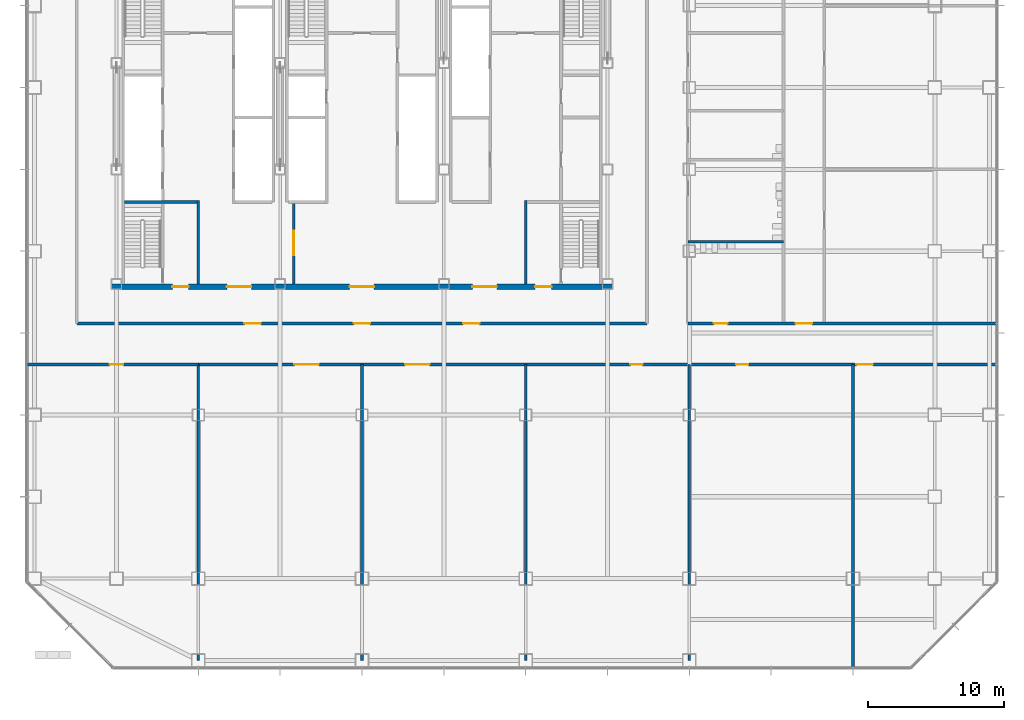
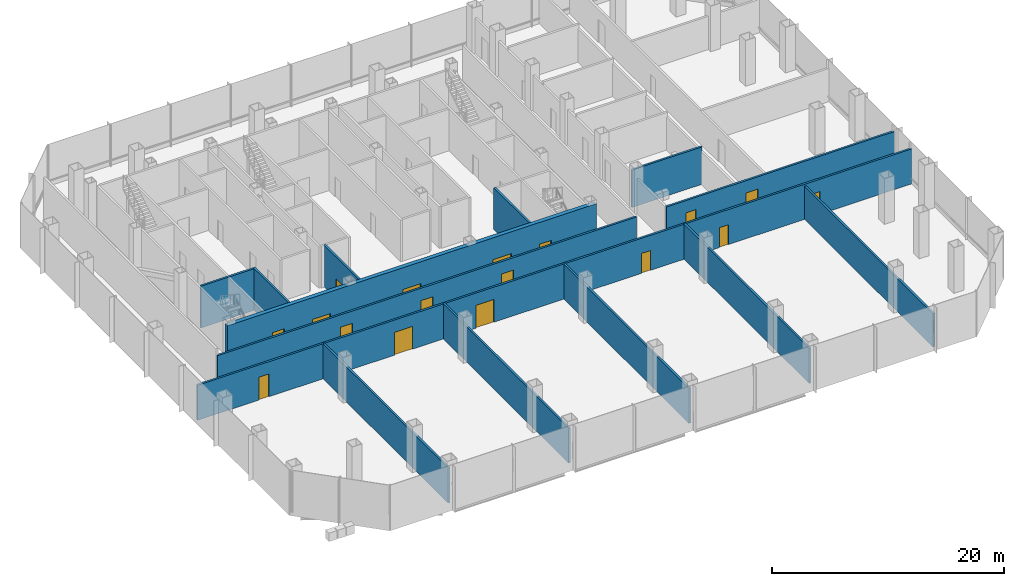
# One storey, part 23 of 33: 17 doors, 15 walls, 17 openings.
"""IFC4 building model written with IfcOpenShell, lengths in metres."""

from ifc_helpers import new_model, si_unit, direction, frame, frame_2d, origin, place, context, subcontext, project, spatial, rectangle, extrude, material, layer, layer_set, type_object, element, fill, save


model = new_model("IFC4")

# Units and contexts
model_context = context("Model", 3, precision=1e-05, world=origin(), true_north=direction((0.0, 1.0)))
body_context = subcontext(model_context, "Body", "Model", "MODEL_VIEW")
ifc_project = project(units=[si_unit("LENGTHUNIT", "METRE"), si_unit("AREAUNIT", "SQUARE_METRE"), si_unit("VOLUMEUNIT", "CUBIC_METRE"), si_unit("PLANEANGLEUNIT", "RADIAN"), si_unit("MASSUNIT", "GRAM", prefix="KILO")], contexts=[model_context])

# Site, building, storey
site_placement = place(None, origin())
site = spatial("IfcSite", under=ifc_project, at=site_placement, CompositionType="ELEMENT")
building_placement = place(site_placement, origin())
building = spatial("IfcBuilding", under=site, at=building_placement, Name="Sorahane Residences", CompositionType="ELEMENT")
storey_placement = place(building_placement, frame((0.0, 0.0, 34.800048828125)))
storey = spatial("IfcBuildingStorey", under=building, at=storey_placement, Name="L05", CompositionType="ELEMENT", Elevation=34.800048828125)

# Walls
ifc_material_1 = material(Name="Concrete blockwork C20 wall", Category="masonry")
ifc_layer_1 = layer(ifc_material_1, 0.199951171875)
ifc_layer_set_1 = layer_set([ifc_layer_1], Name="Corridor wall 200 EI 120")
wall_type_1 = type_object("IfcWallType", Name="Corridor wall 200 EI 120", PredefinedType="SOLIDWALL", material=ifc_layer_set_1)
for number, where, z_axis, x_axis, name in (
    (1, (24.0, -6.0, 0.0), (0.0, 0.0, 1.0), (0.0, 1.0, 0.0), "L05 corridor wall"),
    (2, (36.0, -6.0, 0.0), (0.0, 0.0, 1.0), (0.0, 1.0, 0.0), "L05 corridor wall"),
    (3, (48.0, -6.0, 0.0), (0.0, 0.0, 1.0), (0.0, 1.0, 0.0), "L05 corridor wall"),
):
    element("IfcWall", number, at=place(storey_placement, frame(where, z_axis=z_axis, x_axis=x_axis)), inside=storey, type_object=wall_type_1, Name=name, PredefinedType="SOLIDWALL", context=body_context, shape_type="SweptSolid", body=[
        extrude(rectangle(XDim=21.699951171875, YDim=0.199951171875, at=frame_2d((10.85009765625, 0.0))), origin(), (0.0, 0.0, 1.0), 3.699951171875),
    ])
wall_1_placement = place(storey_placement, frame((60.0, -6.60009765625, 0.0), z_axis=(0.0, 0.0, 1.0), x_axis=(0.0, 1.0, 0.0)))
element("IfcWall", 4, at=wall_1_placement, inside=storey, type_object=wall_type_1, Name="L05 corridor wall", PredefinedType="SOLIDWALL", context=body_context, shape_type="SweptSolid", body=[
    extrude(rectangle(XDim=22.300048828125, YDim=0.199951171875, at=frame_2d((11.14990234375, 0.0))), origin(), (0.0, 0.0, 1.0), 3.5),
])

# Wall, openings, doors
wall_2_placement = place(storey_placement, frame((12.0, 15.699951171875, 0.0), z_axis=(0.0, 0.0, 1.0), x_axis=(1.0, 0.0, 0.0)))
wall_2 = element("IfcWall", 5, at=wall_2_placement, inside=storey, type_object=wall_type_1, Name="L05 corridor wall", PredefinedType="SOLIDWALL", context=body_context, shape_type="SweptSolid", body=[
    extrude(rectangle(XDim=58.60009765625, YDim=0.199951171875, at=frame_2d((29.300048828125, 0.0))), origin(), (0.0, 0.0, 1.0), 3.699951171875),
])
opening_1_placement = place(wall_2_placement, frame((7.0400390625, 0.0, 0.0)))
opening_1 = element("IfcOpeningElement", 6, at=opening_1_placement, cuts=wall_2, Name="Opening L05-02", PredefinedType="OPENING", context=body_context, shape_type="SweptSolid", body=[
    extrude(rectangle(XDim=1.800048828125, YDim=2.39990234375, at=frame_2d((0.89990234375, 1.199951171875))), frame((0.0, 0.10986328125, 0.0), z_axis=(0.0, -1.0, 0.0), x_axis=(1.0, 0.0, 0.0)), (0.0, 0.0, 1.0), 0.219970703125),
])
opening_2_placement = place(wall_2_placement, frame((15.159912109375, 0.0, 0.0)))
opening_2 = element("IfcOpeningElement", 7, at=opening_2_placement, cuts=wall_2, Name="Opening L05-03", PredefinedType="OPENING", context=body_context, shape_type="SweptSolid", body=[
    extrude(rectangle(XDim=1.800048828125, YDim=2.39990234375, at=frame_2d((0.89990234375, 1.199951171875))), frame((0.0, 0.10986328125, 0.0), z_axis=(0.0, -1.0, 0.0), x_axis=(1.0, 0.0, 0.0)), (0.0, 0.0, 1.0), 0.219970703125),
])
opening_3_placement = place(wall_2_placement, frame((31.669921875, 0.0, 0.0)))
opening_3 = element("IfcOpeningElement", 8, at=opening_3_placement, cuts=wall_2, Name="Opening L05-04", PredefinedType="OPENING", context=body_context, shape_type="SweptSolid", body=[
    extrude(rectangle(XDim=0.89990234375, YDim=2.10009765625, at=frame_2d((0.449951171875, 1.050048828125))), frame((0.0, 0.10986328125, 0.0), z_axis=(0.0, -1.0, 0.0), x_axis=(1.0, 0.0, 0.0)), (0.0, 0.0, 1.0), 0.219970703125),
])
opening_4_placement = place(wall_2_placement, frame((39.429931640625, 0.0, 0.0)))
opening_4 = element("IfcOpeningElement", 9, at=opening_4_placement, cuts=wall_2, Name="Opening L05-05", PredefinedType="OPENING", context=body_context, shape_type="SweptSolid", body=[
    extrude(rectangle(XDim=0.89990234375, YDim=2.10009765625, at=frame_2d((0.449951171875, 1.050048828125))), frame((0.0, 0.10986328125, 0.0), z_axis=(0.0, -1.0, 0.0), x_axis=(1.0, 0.0, 0.0)), (0.0, 0.0, 1.0), 0.219970703125),
])
opening_5_placement = place(wall_2_placement, frame((48.25, 0.0, 0.0)))
opening_5 = element("IfcOpeningElement", 10, at=opening_5_placement, cuts=wall_2, Name="Opening L05-06", PredefinedType="OPENING", context=body_context, shape_type="SweptSolid", body=[
    extrude(rectangle(XDim=1.199951171875, YDim=2.39990234375, at=frame_2d((0.60009765625, 1.199951171875))), frame((0.0, 0.10986328125, 0.0), z_axis=(0.0, -1.0, 0.0), x_axis=(1.0, 0.0, 0.0)), (0.0, 0.0, 1.0), 0.219970703125),
])
ifc_material_2 = material(Name="Timber veneered fire door", Category="wood")
door_type_1 = type_object("IfcDoorType", Name="Double door 1800x2400 FD30", OperationType="NOTDEFINED", PredefinedType="DOOR", material=ifc_material_2)
door_1_placement = place(opening_1_placement, origin())
door_1 = element("IfcDoor", 11, at=door_1_placement, inside=storey, type_object=door_type_1, Name="Double door L05-02", OperationType="SINGLE_SWING_LEFT", OverallHeight=2.39990234375, OverallWidth=1.800048828125, PredefinedType="DOOR", context=body_context, shape_type="SweptSolid", body=[
    extrude(rectangle(XDim=1.800048828125, YDim=2.39990234375, at=frame_2d((0.89990234375, 1.199951171875))), frame((0.0, 0.02490234375, 0.0), z_axis=(0.0, -1.0, 0.0), x_axis=(1.0, 0.0, 0.0)), (0.0, 0.0, 1.0), 0.050048828125),
])
fill(opening_1, door_1)
door_2_placement = place(opening_2_placement, origin())
door_2 = element("IfcDoor", 12, at=door_2_placement, inside=storey, type_object=door_type_1, Name="Double door L05-03", OperationType="SINGLE_SWING_RIGHT", OverallHeight=2.39990234375, OverallWidth=1.800048828125, PredefinedType="DOOR", context=body_context, shape_type="SweptSolid", body=[
    extrude(rectangle(XDim=1.800048828125, YDim=2.39990234375, at=frame_2d((0.89990234375, 1.199951171875))), frame((0.0, 0.02490234375, 0.0), z_axis=(0.0, -1.0, 0.0), x_axis=(1.0, 0.0, 0.0)), (0.0, 0.0, 1.0), 0.050048828125),
])
fill(opening_2, door_2)
ifc_material_3 = material(Name="Steel", Category="steel")
door_type_2 = type_object("IfcDoorType", Name="Plant door 1200x2400 FD60", OperationType="NOTDEFINED", PredefinedType="DOOR", material=ifc_material_3)
door_3_placement = place(opening_5_placement, frame((1.199951171875, 0.0, 0.0), z_axis=(0.0, 0.0, 1.0), x_axis=(-1.0, 0.0, 0.0)))
door_3 = element("IfcDoor", 13, at=door_3_placement, inside=storey, type_object=door_type_2, Name="Plant door L05-06", OperationType="SINGLE_SWING_RIGHT", OverallHeight=2.39990234375, OverallWidth=1.199951171875, PredefinedType="DOOR", context=body_context, shape_type="SweptSolid", body=[
    extrude(rectangle(XDim=1.199951171875, YDim=2.39990234375, at=frame_2d((0.60009765625, 1.199951171875))), frame((0.0, 0.02490234375, 0.0), z_axis=(0.0, -1.0, 0.0), x_axis=(1.0, 0.0, 0.0)), (0.0, 0.0, 1.0), 0.050048828125),
])
fill(opening_5, door_3)
ifc_material_4 = material(Name="Timber veneered fire door", Category="wood")
door_type_3 = type_object("IfcDoorType", Name="Service door 900x2100 FD30", OperationType="NOTDEFINED", PredefinedType="DOOR", material=ifc_material_4)
door_4_placement = place(opening_3_placement, frame((0.89990234375, 0.0, 0.0), z_axis=(0.0, 0.0, 1.0), x_axis=(-1.0, 0.0, 0.0)))
door_4 = element("IfcDoor", 14, at=door_4_placement, inside=storey, type_object=door_type_3, Name="Service door L05-04", OperationType="SINGLE_SWING_LEFT", OverallHeight=2.10009765625, OverallWidth=0.89990234375, PredefinedType="DOOR", context=body_context, shape_type="SweptSolid", body=[
    extrude(rectangle(XDim=0.89990234375, YDim=2.10009765625, at=frame_2d((0.449951171875, 1.050048828125))), frame((0.0, 0.02490234375, 0.0), z_axis=(0.0, -1.0, 0.0), x_axis=(1.0, 0.0, 0.0)), (0.0, 0.0, 1.0), 0.050048828125),
])
fill(opening_3, door_4)
door_5_placement = place(opening_4_placement, frame((0.89990234375, 0.0, 0.0), z_axis=(0.0, 0.0, 1.0), x_axis=(-1.0, 0.0, 0.0)))
door_5 = element("IfcDoor", 15, at=door_5_placement, inside=storey, type_object=door_type_3, Name="Service door L05-05", OperationType="SINGLE_SWING_LEFT", OverallHeight=2.10009765625, OverallWidth=0.89990234375, PredefinedType="DOOR", context=body_context, shape_type="SweptSolid", body=[
    extrude(rectangle(XDim=0.89990234375, YDim=2.10009765625, at=frame_2d((0.449951171875, 1.050048828125))), frame((0.0, 0.02490234375, 0.0), z_axis=(0.0, -1.0, 0.0), x_axis=(1.0, 0.0, 0.0)), (0.0, 0.0, 1.0), 0.050048828125),
])
fill(opening_4, door_5)

wall_3_placement = place(storey_placement, frame((3.10009765625, 18.699951171875, 0.0), z_axis=(0.0, 0.0, 1.0), x_axis=(1.0, 0.0, 0.0)))
wall_3 = element("IfcWall", 16, at=wall_3_placement, inside=storey, type_object=wall_type_1, Name="L05 corridor wall", PredefinedType="SOLIDWALL", context=body_context, shape_type="SweptSolid", body=[
    extrude(rectangle(XDim=41.7998046875, YDim=0.199951171875, at=frame_2d((20.89990234375, 0.0))), origin(), (0.0, 0.0, 1.0), 3.699951171875),
])
opening_6_placement = place(wall_3_placement, frame((12.280029296875, 0.0, 0.0)))
opening_6 = element("IfcOpeningElement", 17, at=opening_6_placement, cuts=wall_3, Name="Opening L05-17", PredefinedType="OPENING", context=body_context, shape_type="SweptSolid", body=[
    extrude(rectangle(XDim=1.199951171875, YDim=2.39990234375, at=frame_2d((0.60009765625, 1.199951171875))), frame((0.0, 0.10986328125, 0.0), z_axis=(0.0, -1.0, 0.0), x_axis=(1.0, 0.0, 0.0)), (0.0, 0.0, 1.0), 0.219970703125),
])
opening_7_placement = place(wall_3_placement, frame((28.320068359375, 0.0, 0.0)))
opening_7 = element("IfcOpeningElement", 18, at=opening_7_placement, cuts=wall_3, Name="Opening L05-18", PredefinedType="OPENING", context=body_context, shape_type="SweptSolid", body=[
    extrude(rectangle(XDim=1.199951171875, YDim=2.39990234375, at=frame_2d((0.60009765625, 1.199951171875))), frame((0.0, 0.10986328125, 0.0), z_axis=(0.0, -1.0, 0.0), x_axis=(1.0, 0.0, 0.0)), (0.0, 0.0, 1.0), 0.219970703125),
])
opening_8_placement = place(wall_3_placement, frame((20.300048828125, 0.0, 0.0)))
opening_8 = element("IfcOpeningElement", 19, at=opening_8_placement, cuts=wall_3, Name="Opening L05-19", PredefinedType="OPENING", context=body_context, shape_type="SweptSolid", body=[
    extrude(rectangle(XDim=1.199951171875, YDim=2.39990234375, at=frame_2d((0.60009765625, 1.199951171875))), frame((0.0, 0.10986328125, 0.0), z_axis=(0.0, -1.0, 0.0), x_axis=(1.0, 0.0, 0.0)), (0.0, 0.0, 1.0), 0.219970703125),
])
ifc_material_5 = material(Name="Steel", Category="steel")
door_type_4 = type_object("IfcDoorType", Name="Lobby door 1200x2400 FD60", OperationType="NOTDEFINED", PredefinedType="DOOR", material=ifc_material_5)
door_6_placement = place(opening_6_placement, frame((1.199951171875, 0.0, 0.0), z_axis=(0.0, 0.0, 1.0), x_axis=(-1.0, 0.0, 0.0)))
door_6 = element("IfcDoor", 20, at=door_6_placement, inside=storey, type_object=door_type_4, Name="Lobby door L05-17", OperationType="SINGLE_SWING_LEFT", OverallHeight=2.39990234375, OverallWidth=1.199951171875, PredefinedType="DOOR", context=body_context, shape_type="SweptSolid", body=[
    extrude(rectangle(XDim=1.199951171875, YDim=2.39990234375, at=frame_2d((0.60009765625, 1.199951171875))), frame((0.0, 0.02490234375, 0.0), z_axis=(0.0, -1.0, 0.0), x_axis=(1.0, 0.0, 0.0)), (0.0, 0.0, 1.0), 0.050048828125),
])
fill(opening_6, door_6)
door_7_placement = place(opening_7_placement, frame((1.199951171875, 0.0, 0.0), z_axis=(0.0, 0.0, 1.0), x_axis=(-1.0, 0.0, 0.0)))
door_7 = element("IfcDoor", 21, at=door_7_placement, inside=storey, type_object=door_type_4, Name="Lobby door L05-18", OperationType="SINGLE_SWING_RIGHT", OverallHeight=2.39990234375, OverallWidth=1.199951171875, PredefinedType="DOOR", context=body_context, shape_type="SweptSolid", body=[
    extrude(rectangle(XDim=1.199951171875, YDim=2.39990234375, at=frame_2d((0.60009765625, 1.199951171875))), frame((0.0, 0.02490234375, 0.0), z_axis=(0.0, -1.0, 0.0), x_axis=(1.0, 0.0, 0.0)), (0.0, 0.0, 1.0), 0.050048828125),
])
fill(opening_7, door_7)
door_8_placement = place(opening_8_placement, frame((1.199951171875, 0.0, 0.0), z_axis=(0.0, 0.0, 1.0), x_axis=(-1.0, 0.0, 0.0)))
door_8 = element("IfcDoor", 22, at=door_8_placement, inside=storey, type_object=door_type_4, Name="Lobby door L05-19", OperationType="SINGLE_SWING_RIGHT", OverallHeight=2.39990234375, OverallWidth=1.199951171875, PredefinedType="DOOR", context=body_context, shape_type="SweptSolid", body=[
    extrude(rectangle(XDim=1.199951171875, YDim=2.39990234375, at=frame_2d((0.60009765625, 1.199951171875))), frame((0.0, 0.02490234375, 0.0), z_axis=(0.0, -1.0, 0.0), x_axis=(1.0, 0.0, 0.0)), (0.0, 0.0, 1.0), 0.050048828125),
])
fill(opening_8, door_8)

wall_4_placement = place(storey_placement, frame((47.89990234375, 18.699951171875, 0.0), z_axis=(0.0, 0.0, 1.0), x_axis=(1.0, 0.0, 0.0)))
wall_4 = element("IfcWall", 23, at=wall_4_placement, inside=storey, type_object=wall_type_1, Name="L05 corridor wall", PredefinedType="SOLIDWALL", context=body_context, shape_type="SweptSolid", body=[
    extrude(rectangle(XDim=22.7001953125, YDim=0.199951171875, at=frame_2d((11.35009765625, 0.0))), origin(), (0.0, 0.0, 1.0), 3.699951171875),
])
opening_9_placement = place(wall_4_placement, frame((1.89990234375, 0.0, 0.0)))
opening_9 = element("IfcOpeningElement", 24, at=opening_9_placement, cuts=wall_4, Name="Opening L05-07", PredefinedType="OPENING", context=body_context, shape_type="SweptSolid", body=[
    extrude(rectangle(XDim=1.0, YDim=2.39990234375, at=frame_2d((0.5, 1.199951171875))), frame((0.0, 0.10986328125, 0.0), z_axis=(0.0, -1.0, 0.0), x_axis=(1.0, 0.0, 0.0)), (0.0, 0.0, 1.0), 0.219970703125),
])
opening_10_placement = place(wall_4_placement, frame((7.89990234375, 0.0, 0.0)))
opening_10 = element("IfcOpeningElement", 25, at=opening_10_placement, cuts=wall_4, Name="Opening L05-13", PredefinedType="OPENING", context=body_context, shape_type="SweptSolid", body=[
    extrude(rectangle(XDim=1.199951171875, YDim=2.39990234375, at=frame_2d((0.60009765625, 1.199951171875))), frame((0.0, 0.10986328125, 0.0), z_axis=(0.0, -1.0, 0.0), x_axis=(1.0, 0.0, 0.0)), (0.0, 0.0, 1.0), 0.219970703125),
])
door_9_placement = place(opening_10_placement, origin())
door_9 = element("IfcDoor", 26, at=door_9_placement, inside=storey, type_object=door_type_4, Name="Lobby door L05-13", OperationType="SINGLE_SWING_RIGHT", OverallHeight=2.39990234375, OverallWidth=1.199951171875, PredefinedType="DOOR", context=body_context, shape_type="SweptSolid", body=[
    extrude(rectangle(XDim=1.199951171875, YDim=2.39990234375, at=frame_2d((0.60009765625, 1.199951171875))), frame((0.0, 0.02490234375, 0.0), z_axis=(0.0, -1.0, 0.0), x_axis=(1.0, 0.0, 0.0)), (0.0, 0.0, 1.0), 0.050048828125),
])
fill(opening_10, door_9)
ifc_material_6 = material(Name="Timber veneered fire door", Category="wood")
door_type_5 = type_object("IfcDoorType", Name="Room door 1000x2400 FD30", OperationType="NOTDEFINED", PredefinedType="DOOR", material=ifc_material_6)
door_10_placement = place(opening_9_placement, origin())
door_10 = element("IfcDoor", 27, at=door_10_placement, inside=storey, type_object=door_type_5, Name="Room door L05-07", OperationType="SINGLE_SWING_RIGHT", OverallHeight=2.39990234375, OverallWidth=1.0, PredefinedType="DOOR", context=body_context, shape_type="SweptSolid", body=[
    extrude(rectangle(XDim=1.0, YDim=2.39990234375, at=frame_2d((0.5, 1.199951171875))), frame((0.0, 0.02490234375, 0.0), z_axis=(0.0, -1.0, 0.0), x_axis=(1.0, 0.0, 0.0)), (0.0, 0.0, 1.0), 0.050048828125),
])
fill(opening_9, door_10)

# Walls
wall_5_placement = place(storey_placement, frame((47.89990234375, 24.699951171875, 0.0), z_axis=(0.0, 0.0, 1.0), x_axis=(1.0, 0.0, 0.0)))
element("IfcWall", 28, at=wall_5_placement, inside=storey, type_object=wall_type_1, Name="L05 corridor wall", PredefinedType="SOLIDWALL", context=body_context, shape_type="SweptSolid", body=[
    extrude(rectangle(XDim=7.0, YDim=0.199951171875, at=frame_2d((3.5, 0.0))), origin(), (0.0, 0.0, 1.0), 3.949951171875),
])
ifc_material_7 = material(Name="Concrete C30", Category="concrete")
ifc_layer_2 = layer(ifc_material_7, 0.199951171875)
ifc_layer_set_2 = layer_set([ifc_layer_2], Name="Front room wall 200 EI 120")
wall_type_2 = type_object("IfcWallType", Name="Front room wall 200 EI 120", PredefinedType="PARTITIONING", material=ifc_layer_set_2)
for number, where, z_axis, x_axis, name in (
    (29, (12.0, 21.60009765625, 0.0), (0.0, 0.0, 1.0), (0.0, 1.0, 0.0), "L05 front room wall"),
    (30, (36.0, 21.60009765625, 0.0), (0.0, 0.0, 1.0), (0.0, 1.0, 0.0), "L05 front room wall"),
):
    element("IfcWall", number, at=place(storey_placement, frame(where, z_axis=z_axis, x_axis=x_axis)), inside=storey, type_object=wall_type_2, Name=name, PredefinedType="PARTITIONING", context=body_context, shape_type="SweptSolid", body=[
        extrude(rectangle(XDim=6.099853515625, YDim=0.199951171875, at=frame_2d((3.0498046875, 0.0))), origin(), (0.0, 0.0, 1.0), 4.39990234375),
    ])
ifc_material_8 = material(Name="Concrete blockwork C20 wall", Category="masonry")
ifc_layer_3 = layer(ifc_material_8, 0.199951171875)
ifc_layer_set_3 = layer_set([ifc_layer_3], Name="Kitchen wall 200 EI 180")
wall_type_3 = type_object("IfcWallType", Name="Kitchen wall 200 EI 180", PredefinedType="SOLIDWALL", material=ifc_layer_set_3)
wall_6_placement = place(storey_placement, frame((12.0, -6.0, 0.0), z_axis=(0.0, 0.0, 1.0), x_axis=(0.0, 1.0, 0.0)))
element("IfcWall", 31, at=wall_6_placement, inside=storey, type_object=wall_type_3, Name="L05 kitchen wall", PredefinedType="SOLIDWALL", context=body_context, shape_type="SweptSolid", body=[
    extrude(rectangle(XDim=21.699951171875, YDim=0.199951171875, at=frame_2d((10.85009765625, 0.0))), origin(), (0.0, 0.0, 1.0), 3.699951171875),
])

# Wall, opening, door
wall_7_placement = place(storey_placement, frame((-0.60009765625, 15.699951171875, 0.0), z_axis=(0.0, 0.0, 1.0), x_axis=(1.0, 0.0, 0.0)))
wall_7 = element("IfcWall", 32, at=wall_7_placement, inside=storey, type_object=wall_type_3, Name="L05 kitchen wall", PredefinedType="SOLIDWALL", context=body_context, shape_type="SweptSolid", body=[
    extrude(rectangle(XDim=12.60009765625, YDim=0.199951171875, at=frame_2d((6.300048828125, 0.0))), origin(), (0.0, 0.0, 1.0), 3.699951171875),
])
opening_11_placement = place(wall_7_placement, frame((6.10009765625, 0.0, 0.0)))
opening_11 = element("IfcOpeningElement", 33, at=opening_11_placement, cuts=wall_7, Name="Opening L05-01", PredefinedType="OPENING", context=body_context, shape_type="SweptSolid", body=[
    extrude(rectangle(XDim=1.0, YDim=2.39990234375, at=frame_2d((0.5, 1.199951171875))), frame((0.0, 0.10986328125, 0.0), z_axis=(0.0, -1.0, 0.0), x_axis=(1.0, 0.0, 0.0)), (0.0, 0.0, 1.0), 0.219970703125),
])
ifc_material_9 = material(Name="Steel", Category="steel")
door_type_6 = type_object("IfcDoorType", Name="Kitchen door 1000x2400 FD120", OperationType="NOTDEFINED", PredefinedType="DOOR", material=ifc_material_9)
door_11_placement = place(opening_11_placement, frame((1.0, 0.0, 0.0), z_axis=(0.0, 0.0, 1.0), x_axis=(-1.0, 0.0, 0.0)))
door_11 = element("IfcDoor", 34, at=door_11_placement, inside=storey, type_object=door_type_6, Name="Kitchen door L05-01", OperationType="SINGLE_SWING_RIGHT", OverallHeight=2.39990234375, OverallWidth=1.0, PredefinedType="DOOR", context=body_context, shape_type="SweptSolid", body=[
    extrude(rectangle(XDim=1.0, YDim=2.39990234375, at=frame_2d((0.5, 1.199951171875))), frame((0.0, 0.02490234375, 0.0), z_axis=(0.0, -1.0, 0.0), x_axis=(1.0, 0.0, 0.0)), (0.0, 0.0, 1.0), 0.050048828125),
])
fill(opening_11, door_11)

ifc_material_10 = material(Name="Concrete C30", Category="concrete")
ifc_layer_4 = layer(ifc_material_10, 0.199951171875)
ifc_layer_set_4 = layer_set([ifc_layer_4], Name="Service room partition 200 EI 60")
wall_type_4 = type_object("IfcWallType", Name="Service room partition 200 EI 60", PredefinedType="PARTITIONING", material=ifc_layer_set_4)
wall_8_placement = place(storey_placement, frame((19.0, 21.60009765625, 0.0), z_axis=(0.0, 0.0, 1.0), x_axis=(0.0, 1.0, 0.0)))
wall_8 = element("IfcWall", 35, at=wall_8_placement, inside=storey, type_object=wall_type_4, Name="L05 service room wall", PredefinedType="PARTITIONING", context=body_context, shape_type="SweptSolid", body=[
    extrude(rectangle(XDim=6.0, YDim=0.199951171875, at=frame_2d((3.0, 0.0))), origin(), (0.0, 0.0, 1.0), 4.39990234375),
])
opening_12_placement = place(wall_8_placement, frame((2.10009765625, 0.0, 0.0)))
opening_12 = element("IfcOpeningElement", 36, at=opening_12_placement, cuts=wall_8, Name="Opening L05-C02", PredefinedType="OPENING", context=body_context, shape_type="SweptSolid", body=[
    extrude(rectangle(XDim=1.800048828125, YDim=2.10009765625, at=frame_2d((0.89990234375, 1.050048828125))), frame((0.0, 0.10986328125, 0.0), z_axis=(0.0, -1.0, 0.0), x_axis=(1.0, 0.0, 0.0)), (0.0, 0.0, 1.0), 0.219970703125),
])
ifc_material_11 = material(Name="Steel", Category="steel")
door_type_7 = type_object("IfcDoorType", Name="Waiting hall door 1800x2100 FD60", OperationType="NOTDEFINED", PredefinedType="DOOR", material=ifc_material_11)
door_12_placement = place(opening_12_placement, origin())
door_12 = element("IfcDoor", 37, at=door_12_placement, inside=storey, type_object=door_type_7, Name="Waiting hall door Residents' waiting hall west L05", OperationType="SINGLE_SWING_LEFT", OverallHeight=2.10009765625, OverallWidth=1.800048828125, PredefinedType="DOOR", context=body_context, shape_type="SweptSolid", body=[
    extrude(rectangle(XDim=1.800048828125, YDim=2.10009765625, at=frame_2d((0.89990234375, 1.050048828125))), frame((0.0, 0.02490234375, 0.0), z_axis=(0.0, -1.0, 0.0), x_axis=(1.0, 0.0, 0.0)), (0.0, 0.0, 1.0), 0.050048828125),
])
fill(opening_12, door_12)

# Wall
ifc_material_12 = material(Name="Concrete C30", Category="concrete")
ifc_layer_5 = layer(ifc_material_12, 0.199951171875)
ifc_layer_set_5 = layer_set([ifc_layer_5], Name="Stair enclosure wall 200 EI 120")
wall_type_5 = type_object("IfcWallType", Name="Stair enclosure wall 200 EI 120", PredefinedType="SOLIDWALL", material=ifc_layer_set_5)
wall_9_placement = place(storey_placement, frame((6.60009765625, 27.60009765625, 0.0), z_axis=(0.0, 0.0, 1.0), x_axis=(1.0, 0.0, 0.0)))
element("IfcWall", 38, at=wall_9_placement, inside=storey, type_object=wall_type_5, Name="L05 stair enclosure wall", PredefinedType="SOLIDWALL", context=body_context, shape_type="SweptSolid", body=[
    extrude(rectangle(XDim=5.2998046875, YDim=0.199951171875, at=frame_2d((2.64990234375, 0.0))), origin(), (0.0, 0.0, 1.0), 4.39990234375),
])

# Wall, openings, doors
ifc_material_13 = material(Name="Concrete C30", Category="concrete")
ifc_layer_6 = layer(ifc_material_13, 0.39990234375)
ifc_layer_set_6 = layer_set([ifc_layer_6], Name="Waiting hall wall 400 EI 120")
wall_type_6 = type_object("IfcWallType", Name="Waiting hall wall 400 EI 120", PredefinedType="SOLIDWALL", material=ifc_layer_set_6)
wall_10_placement = place(storey_placement, frame((5.60009765625, 21.39990234375, 0.0), z_axis=(0.0, 0.0, 1.0), x_axis=(1.0, 0.0, 0.0)))
wall_10 = element("IfcWall", 39, at=wall_10_placement, inside=storey, type_object=wall_type_6, Name="L05 waiting hall wall", PredefinedType="SOLIDWALL", context=body_context, shape_type="SweptSolid", body=[
    extrude(rectangle(XDim=36.7998046875, YDim=0.39990234375, at=frame_2d((18.39990234375, 0.0))), origin(), (0.0, 0.0, 1.0), 4.39990234375),
])
opening_13_placement = place(wall_10_placement, frame((8.5, 0.0, 0.0)))
opening_13 = element("IfcOpeningElement", 40, at=opening_13_placement, cuts=wall_10, Name="Opening L05-C01", PredefinedType="OPENING", context=body_context, shape_type="SweptSolid", body=[
    extrude(rectangle(XDim=1.800048828125, YDim=2.10009765625, at=frame_2d((0.89990234375, 1.050048828125))), frame((0.0, 0.2099609375, 0.0), z_axis=(0.0, -1.0, 0.0), x_axis=(1.0, 0.0, 0.0)), (0.0, 0.0, 1.0), 0.419921875),
])
opening_14_placement = place(wall_10_placement, frame((17.5, 0.0, 0.0)))
opening_14 = element("IfcOpeningElement", 41, at=opening_14_placement, cuts=wall_10, Name="Opening L05-C03", PredefinedType="OPENING", context=body_context, shape_type="SweptSolid", body=[
    extrude(rectangle(XDim=1.800048828125, YDim=2.10009765625, at=frame_2d((0.89990234375, 1.050048828125))), frame((0.0, 0.2099609375, 0.0), z_axis=(0.0, -1.0, 0.0), x_axis=(1.0, 0.0, 0.0)), (0.0, 0.0, 1.0), 0.419921875),
])
opening_15_placement = place(wall_10_placement, frame((26.5, 0.0, 0.0)))
opening_15 = element("IfcOpeningElement", 42, at=opening_15_placement, cuts=wall_10, Name="Opening L05-C04", PredefinedType="OPENING", context=body_context, shape_type="SweptSolid", body=[
    extrude(rectangle(XDim=1.800048828125, YDim=2.10009765625, at=frame_2d((0.89990234375, 1.050048828125))), frame((0.0, 0.2099609375, 0.0), z_axis=(0.0, -1.0, 0.0), x_axis=(1.0, 0.0, 0.0)), (0.0, 0.0, 1.0), 0.419921875),
])
opening_16_placement = place(wall_10_placement, frame((4.5, 0.0, 0.0)))
opening_16 = element("IfcOpeningElement", 43, at=opening_16_placement, cuts=wall_10, Name="Opening L05-C05", PredefinedType="OPENING", context=body_context, shape_type="SweptSolid", body=[
    extrude(rectangle(XDim=1.199951171875, YDim=2.10009765625, at=frame_2d((0.60009765625, 1.050048828125))), frame((0.0, 0.2099609375, 0.0), z_axis=(0.0, -1.0, 0.0), x_axis=(1.0, 0.0, 0.0)), (0.0, 0.0, 1.0), 0.419921875),
])
opening_17_placement = place(wall_10_placement, frame((31.10009765625, 0.0, 0.0)))
opening_17 = element("IfcOpeningElement", 44, at=opening_17_placement, cuts=wall_10, Name="Opening L05-C06", PredefinedType="OPENING", context=body_context, shape_type="SweptSolid", body=[
    extrude(rectangle(XDim=1.199951171875, YDim=2.10009765625, at=frame_2d((0.60009765625, 1.050048828125))), frame((0.0, 0.2099609375, 0.0), z_axis=(0.0, -1.0, 0.0), x_axis=(1.0, 0.0, 0.0)), (0.0, 0.0, 1.0), 0.419921875),
])
ifc_material_14 = material(Name="Steel", Category="steel")
door_type_8 = type_object("IfcDoorType", Name="Stair front room door 1200x2100 FD120", OperationType="NOTDEFINED", PredefinedType="DOOR", material=ifc_material_14)
door_13_placement = place(opening_16_placement, frame((1.199951171875, 0.0, 0.0), z_axis=(0.0, 0.0, 1.0), x_axis=(-1.0, 0.0, 0.0)))
door_13 = element("IfcDoor", 45, at=door_13_placement, inside=storey, type_object=door_type_8, Name="Stair front room door Stair S4 front room L05", OperationType="SINGLE_SWING_LEFT", OverallHeight=2.10009765625, OverallWidth=1.199951171875, PredefinedType="DOOR", context=body_context, shape_type="SweptSolid", body=[
    extrude(rectangle(XDim=1.199951171875, YDim=2.10009765625, at=frame_2d((0.60009765625, 1.050048828125))), frame((0.0, 0.02490234375, 0.0), z_axis=(0.0, -1.0, 0.0), x_axis=(1.0, 0.0, 0.0)), (0.0, 0.0, 1.0), 0.050048828125),
])
fill(opening_16, door_13)
door_14_placement = place(opening_17_placement, frame((1.199951171875, 0.0, 0.0), z_axis=(0.0, 0.0, 1.0), x_axis=(-1.0, 0.0, 0.0)))
door_14 = element("IfcDoor", 46, at=door_14_placement, inside=storey, type_object=door_type_8, Name="Stair front room door Stair S5 front room L05", OperationType="SINGLE_SWING_LEFT", OverallHeight=2.10009765625, OverallWidth=1.199951171875, PredefinedType="DOOR", context=body_context, shape_type="SweptSolid", body=[
    extrude(rectangle(XDim=1.199951171875, YDim=2.10009765625, at=frame_2d((0.60009765625, 1.050048828125))), frame((0.0, 0.02490234375, 0.0), z_axis=(0.0, -1.0, 0.0), x_axis=(1.0, 0.0, 0.0)), (0.0, 0.0, 1.0), 0.050048828125),
])
fill(opening_17, door_14)
door_15_placement = place(opening_13_placement, frame((1.800048828125, 0.0, 0.0), z_axis=(0.0, 0.0, 1.0), x_axis=(-1.0, 0.0, 0.0)))
door_15 = element("IfcDoor", 47, at=door_15_placement, inside=storey, type_object=door_type_7, Name="Waiting hall door Residents' waiting hall west L05", OperationType="SINGLE_SWING_LEFT", OverallHeight=2.10009765625, OverallWidth=1.800048828125, PredefinedType="DOOR", context=body_context, shape_type="SweptSolid", body=[
    extrude(rectangle(XDim=1.800048828125, YDim=2.10009765625, at=frame_2d((0.89990234375, 1.050048828125))), frame((0.0, 0.02490234375, 0.0), z_axis=(0.0, -1.0, 0.0), x_axis=(1.0, 0.0, 0.0)), (0.0, 0.0, 1.0), 0.050048828125),
])
fill(opening_13, door_15)
door_16_placement = place(opening_14_placement, frame((1.800048828125, 0.0, 0.0), z_axis=(0.0, 0.0, 1.0), x_axis=(-1.0, 0.0, 0.0)))
door_16 = element("IfcDoor", 48, at=door_16_placement, inside=storey, type_object=door_type_7, Name="Waiting hall door Residents' waiting hall east L05", OperationType="SINGLE_SWING_LEFT", OverallHeight=2.10009765625, OverallWidth=1.800048828125, PredefinedType="DOOR", context=body_context, shape_type="SweptSolid", body=[
    extrude(rectangle(XDim=1.800048828125, YDim=2.10009765625, at=frame_2d((0.89990234375, 1.050048828125))), frame((0.0, 0.02490234375, 0.0), z_axis=(0.0, -1.0, 0.0), x_axis=(1.0, 0.0, 0.0)), (0.0, 0.0, 1.0), 0.050048828125),
])
fill(opening_14, door_16)
door_17_placement = place(opening_15_placement, frame((1.800048828125, 0.0, 0.0), z_axis=(0.0, 0.0, 1.0), x_axis=(-1.0, 0.0, 0.0)))
door_17 = element("IfcDoor", 49, at=door_17_placement, inside=storey, type_object=door_type_7, Name="Waiting hall door Residents' waiting hall east L05", OperationType="SINGLE_SWING_LEFT", OverallHeight=2.10009765625, OverallWidth=1.800048828125, PredefinedType="DOOR", context=body_context, shape_type="SweptSolid", body=[
    extrude(rectangle(XDim=1.800048828125, YDim=2.10009765625, at=frame_2d((0.89990234375, 1.050048828125))), frame((0.0, 0.02490234375, 0.0), z_axis=(0.0, -1.0, 0.0), x_axis=(1.0, 0.0, 0.0)), (0.0, 0.0, 1.0), 0.050048828125),
])
fill(opening_15, door_17)

save(model, "model.ifc")
